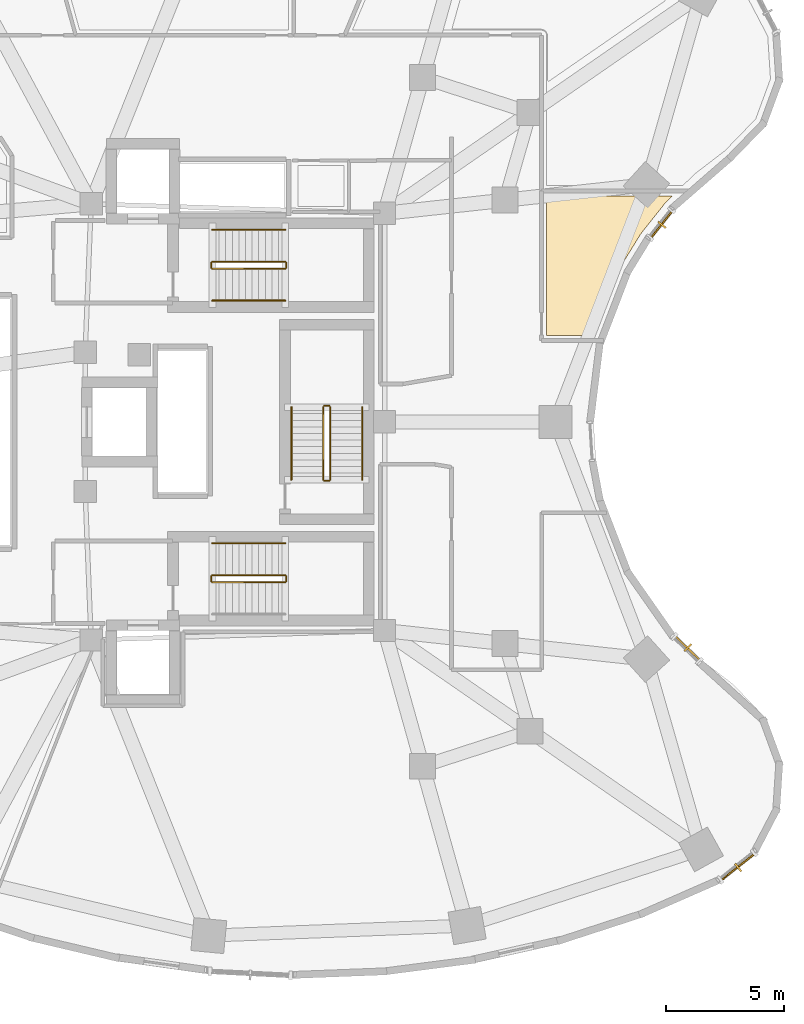
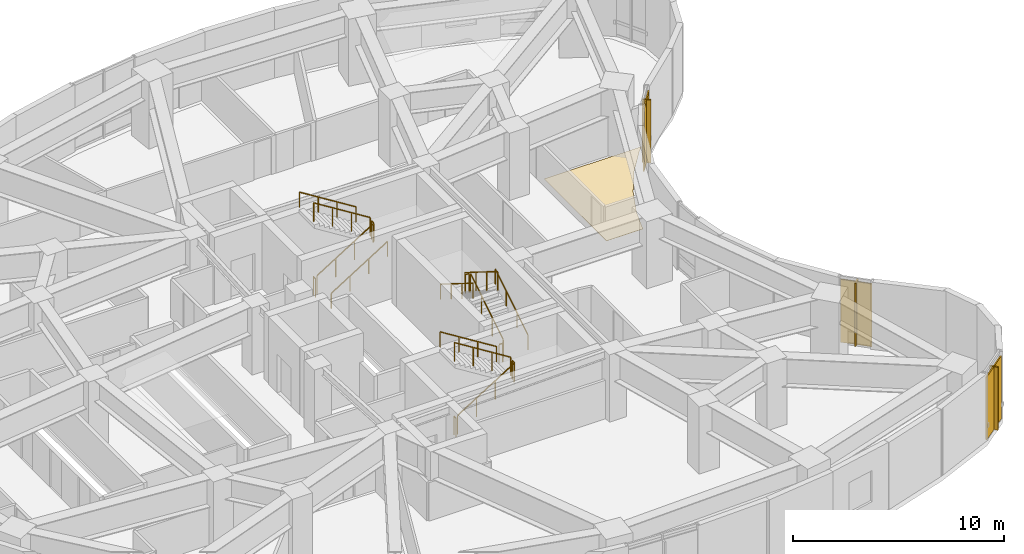
# One storey, part 12 of 13: 17 railings, 6 shading devices, 1 covering.
"""IFC4 building model written with IfcOpenShell, lengths in metres."""

import ifcopenshell
import ifcopenshell.guid

model = None  # the IFC model being written
_history = None  # IfcOwnerHistory: only IFC2X3 demands one
_inside = {}  # id of a spatial element -> (the spatial element, [elements in it])
_under = {}  # id of a project, library or spatial element -> (it, [spatial elements below it])
_declared = {}  # id of a project -> (the project, [libraries it declares])
_typed = {}  # id of a type object -> (the type object, [elements of that type])
_made_of = {}  # id of a material, layer set ... -> (it, [elements and type objects made of it])


def new_model(schema):
    """Start an empty IFC model of exactly this schema.

    Asked for "IFC4X3", IfcOpenShell would pick the latest addendum, in which some entities
    have other attributes; the version numbers below select the first issue.
    IFC2X3 requires an IfcOwnerHistory on every rooted entity: one is made here for all.
    """
    global model, _history
    if schema == "IFC4X3":
        model = ifcopenshell.file(schema_version=(4, 3, 0, 0))
    else:
        model = ifcopenshell.file(schema=schema)
    _inside.clear()
    _under.clear()
    _declared.clear()
    _typed.clear()
    _made_of.clear()
    _history = None
    if model.schema == "IFC2X3":
        org = make("IfcOrganization", Name="unknown")
        user = make(
            "IfcPersonAndOrganization",
            ThePerson=make("IfcPerson", FamilyName="unknown"),
            TheOrganization=org,
        )
        app = make(
            "IfcApplication",
            ApplicationDeveloper=org,
            Version="unknown",
            ApplicationFullName="unknown",
            ApplicationIdentifier="unknown",
        )
        _history = make(
            "IfcOwnerHistory",
            OwningUser=user,
            OwningApplication=app,
            ChangeAction="ADDED",
            CreationDate=0,
        )
    return model


def make(cls, **values):
    """One entity of the class cls with the attributes given. An attribute that is None is left unset."""
    return model.create_entity(
        cls, **{name: value for name, value in values.items() if value is not None}
    )


def rooted(cls, **values):
    """An entity with a GlobalId (a new one), such as an element, a storey or a relation."""
    return make(cls, GlobalId=ifcopenshell.guid.new(), OwnerHistory=_history, **values)


def si_unit(unit_type, name, prefix=None):
    """IfcSIUnit, for example si_unit("LENGTHUNIT", "METRE", prefix="MILLI")."""
    return make("IfcSIUnit", UnitType=unit_type, Prefix=prefix, Name=name)


def assignment(units):
    """IfcUnitAssignment: the units of a project."""
    return None if units is None else make("IfcUnitAssignment", Units=units)


def point(xyz):
    """IfcCartesianPoint."""
    return None if xyz is None else make("IfcCartesianPoint", Coordinates=xyz)


def direction(xyz):
    """IfcDirection."""
    return None if xyz is None else make("IfcDirection", DirectionRatios=xyz)


def frame(location, z_axis=None, x_axis=None):
    """IfcAxis2Placement3D, a coordinate frame: its origin and axes. An axis left out is left unset."""
    return make(
        "IfcAxis2Placement3D",
        Location=point(location),
        Axis=direction(z_axis),
        RefDirection=direction(x_axis),
    )


def frame_2d(location, x_axis=None):
    """IfcAxis2Placement2D, a coordinate frame in the plane: its origin and x axis."""
    return make(
        "IfcAxis2Placement2D", Location=point(location), RefDirection=direction(x_axis)
    )


def origin():
    """The frame at (0, 0, 0) with its axes left unset."""
    return frame((0.0, 0.0, 0.0))


def origin_2d():
    """The frame at (0, 0) in the plane with its x axis left unset."""
    return frame_2d((0.0, 0.0))


def place(relative_to, where):
    """IfcLocalPlacement: puts the frame where relative to a parent placement (None: the world)."""
    return make(
        "IfcLocalPlacement", PlacementRelTo=relative_to, RelativePlacement=where
    )


def context(
    kind, dimensions, precision=None, world=None, true_north=None, identifier=None
):
    """IfcGeometricRepresentationContext, for example the 3D "Model" context."""
    return make(
        "IfcGeometricRepresentationContext",
        ContextIdentifier=identifier,
        ContextType=kind,
        CoordinateSpaceDimension=dimensions,
        Precision=precision,
        WorldCoordinateSystem=world,
        TrueNorth=true_north,
    )


def subcontext(parent, identifier, kind, view, scale=None):
    """IfcGeometricRepresentationSubContext, for example "Body" below "Model"."""
    return make(
        "IfcGeometricRepresentationSubContext",
        ContextIdentifier=identifier,
        ContextType=kind,
        ParentContext=parent,
        TargetScale=scale,
        TargetView=view,
    )


def project(units=None, contexts=None):
    """IfcProject with its units and contexts."""
    return rooted(
        "IfcProject",
        Name="project",
        RepresentationContexts=contexts,
        UnitsInContext=assignment(units),
    )


def spatial(cls, under=None, at=None, **own):
    """A site, building, storey or space (cls), placed at a placement, below another one or the project."""
    s = rooted(cls, ObjectPlacement=at, **own)
    if under is not None:
        _under.setdefault(under.id(), (under, []))[1].append(s)
    return s


def polyline(points):
    """IfcPolyline through the points."""
    return make("IfcPolyline", Points=[point(p) for p in points])


def profile(cls, at=None, kind="AREA", **sizes):
    """A parametric profile (cls). Its sizes go by their IFC names, for example OverallWidth=200.0."""
    return make(cls, ProfileType=kind, Position=at, **sizes)


def rectangle(**sizes):
    """IfcRectangleProfileDef."""
    return profile("IfcRectangleProfileDef", **sizes)


def outline(outer, holes=None, kind="AREA"):
    """IfcArbitraryClosedProfileDef: a profile drawn as a closed curve; with holes, ...WithVoids."""
    if holes is None:
        return make("IfcArbitraryClosedProfileDef", ProfileType=kind, OuterCurve=outer)
    return make(
        "IfcArbitraryProfileDefWithVoids",
        ProfileType=kind,
        OuterCurve=outer,
        InnerCurves=holes,
    )


def extrude(swept, where, along, depth):
    """IfcExtrudedAreaSolid: the profile swept, set in the frame where, extruded along a direction by depth."""
    return make(
        "IfcExtrudedAreaSolid",
        SweptArea=swept,
        Position=where,
        ExtrudedDirection=direction(along),
        Depth=depth,
    )


def shape(context_of_items, identifier, shape_type, items):
    """IfcShapeRepresentation: the items that make up one representation, for example the "Body"."""
    return make(
        "IfcShapeRepresentation",
        ContextOfItems=context_of_items,
        RepresentationIdentifier=identifier,
        RepresentationType=shape_type,
        Items=items,
    )


def material(Name=None, Category=None):
    """IfcMaterial."""
    return make("IfcMaterial", Name=Name, Category=Category)


def layer(
    of_material, thickness, ventilated=None, Name=None, Category=None, Priority=None
):
    """IfcMaterialLayer: one layer of a wall or slab, of a material (None: an air gap)."""
    return make(
        "IfcMaterialLayer",
        Material=of_material,
        LayerThickness=thickness,
        IsVentilated=ventilated,
        Name=Name,
        Category=Category,
        Priority=Priority,
    )


def layer_set(layers, Name=None):
    """IfcMaterialLayerSet."""
    return make("IfcMaterialLayerSet", MaterialLayers=layers, LayerSetName=Name)


def made_of(thing, what):
    """Note that an element or type object is made of a material, layer set ...; save() writes the relation."""
    if what is not None:
        _made_of.setdefault(what.id(), (what, []))[1].append(thing)
    return thing


def type_object(cls, material=None, **own):
    """A type object (cls), such as IfcWallType, which elements share."""
    return made_of(rooted(cls, **own), material)


def element(
    cls,
    number,
    at=None,
    inside=None,
    cuts=None,
    type_object=None,
    material=None,
    context=None,
    identifier="Body",
    shape_type=None,
    held_by="IfcProductDefinitionShape",
    body=None,
    shapes=None,
    **own,
):
    """One element of the class cls, such as IfcWall. Its Tag is "e" and its number.

    at: its placement. inside: the storey or other place that contains it. cuts: it is an
    opening in that element (IfcRelVoidsElement). A single representation is given by context,
    identifier, shape_type and body (its items); several are given by shapes. held_by: the class
    of the entity that holds the representations. save() writes the other relations.
    """
    e = rooted(cls, Tag="e%d" % number, ObjectPlacement=at, **own)
    if body is not None:
        shapes = [shape(context, identifier, shape_type, body)]
    if shapes is not None:
        e.Representation = make(held_by, Representations=shapes)
    if inside is not None:
        _inside.setdefault(inside.id(), (inside, []))[1].append(e)
    if cuts is not None:
        rooted(
            "IfcRelVoidsElement", RelatingBuildingElement=cuts, RelatedOpeningElement=e
        )
    if type_object is not None:
        _typed.setdefault(type_object.id(), (type_object, []))[1].append(e)
    return made_of(e, material)


def aggregate(whole, parts):
    """IfcRelAggregates: a whole, such as a stair, and the parts it consists of."""
    return rooted("IfcRelAggregates", RelatingObject=whole, RelatedObjects=parts)


def save(model, path):
    """Write the relations noted so far, then the file.

    IfcRelAggregates (storeys below a building ...), IfcRelContainedInSpatialStructure (elements
    in a storey), IfcRelDefinesByType, IfcRelAssociatesMaterial and IfcRelDeclares: one each for
    every whole, place, type object, material and project.
    """
    for whole, parts in _under.values():
        aggregate(whole, parts)
    for where, things in _inside.values():
        rooted(
            "IfcRelContainedInSpatialStructure",
            RelatedElements=things,
            RelatingStructure=where,
        )
    for kind, things in _typed.values():
        rooted("IfcRelDefinesByType", RelatedObjects=things, RelatingType=kind)
    for what, things in _made_of.values():
        rooted("IfcRelAssociatesMaterial", RelatedObjects=things, RelatingMaterial=what)
    for by, libraries in _declared.values():
        rooted("IfcRelDeclares", RelatingContext=by, RelatedDefinitions=libraries)
    model.write(path)


model = new_model("IFC4")

# Units and contexts
model_context = context("Model", 3, precision=1e-05, world=origin(), true_north=direction((0.0, 1.0)))
body_context = subcontext(model_context, "Body", "Model", "MODEL_VIEW")
ifc_project = project(units=[si_unit("LENGTHUNIT", "METRE"), si_unit("AREAUNIT", "SQUARE_METRE"), si_unit("VOLUMEUNIT", "CUBIC_METRE"), si_unit("PLANEANGLEUNIT", "RADIAN"), si_unit("MASSUNIT", "GRAM", prefix="KILO")], contexts=[model_context])

# Site, building, storey
site_placement = place(None, origin())
site = spatial("IfcSite", under=ifc_project, at=site_placement, CompositionType="ELEMENT")
building_placement = place(site_placement, origin())
building = spatial("IfcBuilding", under=site, at=building_placement, Name="Korentha Bioscience Tower", CompositionType="ELEMENT")
storey_placement = place(building_placement, frame((0.0, 0.0, 80.39990234375)))
storey = spatial("IfcBuildingStorey", under=building, at=storey_placement, Name="L18", CompositionType="ELEMENT", Elevation=80.39990234375)

# Railings
ifc_material_1 = material(Name="Stainless Steel 304", Category="steel")
railing_type_1 = type_object("IfcRailingType", Name="Brushed Stainless Stair Handrail 900", PredefinedType="HANDRAIL", material=ifc_material_1)
railing_1_placement = place(storey_placement, frame((30.25, 32.14990234375, 0.175048828125)))
element("IfcRailing", 1, at=railing_1_placement, inside=storey, type_object=railing_type_1, Name="L18 ST-1 stair handrail 1", PredefinedType="HANDRAIL", context=body_context, shape_type="SweptSolid", body=[
    extrude(rectangle(XDim=0.048095703125, YDim=0.048095703125, at=origin_2d()), frame((0.0, 0.0, 0.8759765625), z_axis=(0.847998304005, 0.0, 0.529998940003), x_axis=(0.0, 1.0, 0.0)), (0.0, 0.0, 1.0), 3.632080078125),
    extrude(rectangle(XDim=0.0419921875, YDim=0.0419921875, at=origin_2d()), origin(), (0.0, 0.0, 1.0), 0.851806640625),
    extrude(rectangle(XDim=0.0419921875, YDim=0.0419921875, at=origin_2d()), frame((1.026611328125, 0.0, 0.6416015625)), (0.0, 0.0, 1.0), 0.851806640625),
    extrude(rectangle(XDim=0.0419921875, YDim=0.0419921875, at=origin_2d()), frame((2.053466796875, 0.0, 1.283447265625)), (0.0, 0.0, 1.0), 0.851806640625),
    extrude(rectangle(XDim=0.0419921875, YDim=0.0419921875, at=origin_2d()), frame((3.080078125, 0.0, 1.925048828125)), (0.0, 0.0, 1.0), 0.851806640625),
])
for number, where, name in (
    (2, (33.330078125, 35.14990234375, 2.275146484375), "L18 ST-1 stair handrail 2"),
    (3, (33.330078125, 21.85009765625, 2.275146484375), "L18 ST-2 stair handrail 2"),
):
    element("IfcRailing", number, at=place(storey_placement, frame(where)), inside=storey, type_object=railing_type_1, Name=name, PredefinedType="HANDRAIL", context=body_context, shape_type="SweptSolid", body=[
        extrude(rectangle(XDim=0.048095703125, YDim=0.048095703125, at=origin_2d()), frame((0.0, 0.0, 0.8759765625), z_axis=(-0.847998304005, 0.0, 0.529998940003), x_axis=(0.0, -1.0, 0.0)), (0.0, 0.0, 1.0), 3.632080078125),
        extrude(rectangle(XDim=0.0419921875, YDim=0.0419921875, at=origin_2d()), origin(), (0.0, 0.0, 1.0), 0.851806640625),
        extrude(rectangle(XDim=0.0419921875, YDim=0.0419921875, at=origin_2d()), frame((-1.026611328125, 0.0, 0.6416015625)), (0.0, 0.0, 1.0), 0.851806640625),
        extrude(rectangle(XDim=0.0419921875, YDim=0.0419921875, at=origin_2d()), frame((-2.053466796875, 0.0, 1.283447265625)), (0.0, 0.0, 1.0), 0.851806640625),
        extrude(rectangle(XDim=0.0419921875, YDim=0.0419921875, at=origin_2d()), frame((-3.080078125, 0.0, 1.925048828125)), (0.0, 0.0, 1.0), 0.851806640625),
    ])
railing_2_placement = place(storey_placement, frame((36.60009765625, 24.550048828125, 0.175048828125)))
element("IfcRailing", 4, at=railing_2_placement, inside=storey, type_object=railing_type_1, Name="L18 ST-3 stair handrail 1", PredefinedType="HANDRAIL", context=body_context, shape_type="SweptSolid", body=[
    extrude(rectangle(XDim=0.048095703125, YDim=0.048095703125, at=origin_2d()), frame((0.0, 0.0, 0.8759765625), z_axis=(0.0, 0.847979421464, 0.530029150871), x_axis=(-1.0, 0.0, 0.0)), (0.0, 0.0, 1.0), 3.632080078125),
    extrude(rectangle(XDim=0.0419921875, YDim=0.0419921875, at=origin_2d()), origin(), (0.0, 0.0, 1.0), 0.851806640625),
    extrude(rectangle(XDim=0.0419921875, YDim=0.0419921875, at=origin_2d()), frame((0.0, 1.026611328125, 0.6416015625)), (0.0, 0.0, 1.0), 0.851806640625),
    extrude(rectangle(XDim=0.0419921875, YDim=0.0419921875, at=origin_2d()), frame((0.0, 2.05322265625, 1.283447265625)), (0.0, 0.0, 1.0), 0.851806640625),
    extrude(rectangle(XDim=0.0419921875, YDim=0.0419921875, at=origin_2d()), frame((0.0, 3.079833984375, 1.925048828125)), (0.0, 0.0, 1.0), 0.851806640625),
])
railing_3_placement = place(storey_placement, frame((33.60009765625, 27.6298828125, 2.275146484375)))
element("IfcRailing", 5, at=railing_3_placement, inside=storey, type_object=railing_type_1, Name="L18 ST-3 stair handrail 2", PredefinedType="HANDRAIL", context=body_context, shape_type="SweptSolid", body=[
    extrude(rectangle(XDim=0.048095703125, YDim=0.048095703125, at=origin_2d()), frame((0.0, 0.0, 0.8759765625), z_axis=(0.0, -0.847979421464, 0.530029150871), x_axis=(1.0, 0.0, 0.0)), (0.0, 0.0, 1.0), 3.632080078125),
    extrude(rectangle(XDim=0.0419921875, YDim=0.0419921875, at=origin_2d()), origin(), (0.0, 0.0, 1.0), 0.851806640625),
    extrude(rectangle(XDim=0.0419921875, YDim=0.0419921875, at=origin_2d()), frame((0.0, -1.026611328125, 0.6416015625)), (0.0, 0.0, 1.0), 0.851806640625),
    extrude(rectangle(XDim=0.0419921875, YDim=0.0419921875, at=origin_2d()), frame((0.0, -2.05322265625, 1.283447265625)), (0.0, 0.0, 1.0), 0.851806640625),
    extrude(rectangle(XDim=0.0419921875, YDim=0.0419921875, at=origin_2d()), frame((0.0, -3.079833984375, 1.925048828125)), (0.0, 0.0, 1.0), 0.851806640625),
])
ifc_material_2 = material(Name="Painted Steel S275", Category="steel")
railing_type_2 = type_object("IfcRailingType", Name="Painted Steel Stair Well Guardrail 1100", PredefinedType="GUARDRAIL", material=ifc_material_2)
railing_4_placement = place(storey_placement, frame((30.25, 33.5, 0.175048828125)))
element("IfcRailing", 6, at=railing_4_placement, inside=storey, type_object=railing_type_2, Name="L18 ST-1 stair guard 1", PredefinedType="GUARDRAIL", context=body_context, shape_type="SweptSolid", body=[
    extrude(rectangle(XDim=0.048095703125, YDim=0.048095703125, at=origin_2d()), frame((0.0, 0.0, 1.076171875), z_axis=(0.847998304005, 0.0, 0.529998940003), x_axis=(0.0, 1.0, 0.0)), (0.0, 0.0, 1.0), 3.632080078125),
    extrude(rectangle(XDim=0.0419921875, YDim=0.0419921875, at=origin_2d()), origin(), (0.0, 0.0, 1.0), 1.052001953125),
    extrude(rectangle(XDim=0.0419921875, YDim=0.0419921875, at=origin_2d()), frame((1.026611328125, 0.0, 0.6416015625)), (0.0, 0.0, 1.0), 1.052001953125),
    extrude(rectangle(XDim=0.0419921875, YDim=0.0419921875, at=origin_2d()), frame((2.053466796875, 0.0, 1.283447265625)), (0.0, 0.0, 1.0), 1.052001953125),
    extrude(rectangle(XDim=0.0419921875, YDim=0.0419921875, at=origin_2d()), frame((3.080078125, 0.0, 1.925048828125)), (0.0, 0.0, 1.0), 1.052001953125),
])
railing_5_placement = place(storey_placement, frame((33.3798828125, 33.550048828125, 2.10009765625)))
element("IfcRailing", 7, at=railing_5_placement, inside=storey, type_object=railing_type_2, Name="L18 ST-1 stair guard 2", PredefinedType="GUARDRAIL", context=body_context, shape_type="SweptSolid", body=[
    extrude(rectangle(XDim=0.048095703125, YDim=0.048095703125, at=origin_2d()), frame((0.0, 0.0, 1.076171875), z_axis=(0.0, 1.0, 0.0), x_axis=(-1.0, 0.0, 0.0)), (0.0, 0.0, 1.0), 0.199951171875),
    extrude(rectangle(XDim=0.0419921875, YDim=0.0419921875, at=origin_2d()), origin(), (0.0, 0.0, 1.0), 1.052001953125),
    extrude(rectangle(XDim=0.0419921875, YDim=0.0419921875, at=origin_2d()), frame((0.0, 0.199951171875, 0.0)), (0.0, 0.0, 1.0), 1.052001953125),
])
railing_6_placement = place(storey_placement, frame((33.330078125, 33.800048828125, 2.275146484375)))
element("IfcRailing", 8, at=railing_6_placement, inside=storey, type_object=railing_type_2, Name="L18 ST-1 stair guard 3", PredefinedType="GUARDRAIL", context=body_context, shape_type="SweptSolid", body=[
    extrude(rectangle(XDim=0.048095703125, YDim=0.048095703125, at=origin_2d()), frame((0.0, 0.0, 1.076171875), z_axis=(-0.847998304005, 0.0, 0.529998940003), x_axis=(0.0, -1.0, 0.0)), (0.0, 0.0, 1.0), 3.632080078125),
    extrude(rectangle(XDim=0.0419921875, YDim=0.0419921875, at=origin_2d()), origin(), (0.0, 0.0, 1.0), 1.052001953125),
    extrude(rectangle(XDim=0.0419921875, YDim=0.0419921875, at=origin_2d()), frame((-1.026611328125, 0.0, 0.6416015625)), (0.0, 0.0, 1.0), 1.052001953125),
    extrude(rectangle(XDim=0.0419921875, YDim=0.0419921875, at=origin_2d()), frame((-2.053466796875, 0.0, 1.283447265625)), (0.0, 0.0, 1.0), 1.052001953125),
    extrude(rectangle(XDim=0.0419921875, YDim=0.0419921875, at=origin_2d()), frame((-3.080078125, 0.0, 1.925048828125)), (0.0, 0.0, 1.0), 1.052001953125),
])
railing_7_placement = place(storey_placement, frame((30.199951171875, 33.550048828125, 0.0)))
element("IfcRailing", 9, at=railing_7_placement, inside=storey, type_object=railing_type_2, Name="L18 ST-1 stair guard 4", PredefinedType="GUARDRAIL", context=body_context, shape_type="SweptSolid", body=[
    extrude(rectangle(XDim=0.048095703125, YDim=0.048095703125, at=origin_2d()), frame((0.0, 0.0, 1.076171875), z_axis=(0.0, 1.0, 0.0), x_axis=(-1.0, 0.0, 0.0)), (0.0, 0.0, 1.0), 0.199951171875),
    extrude(rectangle(XDim=0.0419921875, YDim=0.0419921875, at=origin_2d()), origin(), (0.0, 0.0, 1.0), 1.052001953125),
    extrude(rectangle(XDim=0.0419921875, YDim=0.0419921875, at=origin_2d()), frame((0.0, 0.199951171875, 0.0)), (0.0, 0.0, 1.0), 1.052001953125),
])
railing_8_placement = place(storey_placement, frame((30.25, 20.199951171875, 0.175048828125)))
element("IfcRailing", 10, at=railing_8_placement, inside=storey, type_object=railing_type_2, Name="L18 ST-2 stair guard 1", PredefinedType="GUARDRAIL", context=body_context, shape_type="SweptSolid", body=[
    extrude(rectangle(XDim=0.048095703125, YDim=0.048095703125, at=origin_2d()), frame((0.0, 0.0, 1.076171875), z_axis=(0.847998304005, 0.0, 0.529998940003), x_axis=(0.0, 1.0, 0.0)), (0.0, 0.0, 1.0), 3.632080078125),
    extrude(rectangle(XDim=0.0419921875, YDim=0.0419921875, at=origin_2d()), origin(), (0.0, 0.0, 1.0), 1.052001953125),
    extrude(rectangle(XDim=0.0419921875, YDim=0.0419921875, at=origin_2d()), frame((1.026611328125, 0.0, 0.6416015625)), (0.0, 0.0, 1.0), 1.052001953125),
    extrude(rectangle(XDim=0.0419921875, YDim=0.0419921875, at=origin_2d()), frame((2.053466796875, 0.0, 1.283447265625)), (0.0, 0.0, 1.0), 1.052001953125),
    extrude(rectangle(XDim=0.0419921875, YDim=0.0419921875, at=origin_2d()), frame((3.080078125, 0.0, 1.925048828125)), (0.0, 0.0, 1.0), 1.052001953125),
])
railing_9_placement = place(storey_placement, frame((33.3798828125, 20.25, 2.10009765625)))
element("IfcRailing", 11, at=railing_9_placement, inside=storey, type_object=railing_type_2, Name="L18 ST-2 stair guard 2", PredefinedType="GUARDRAIL", context=body_context, shape_type="SweptSolid", body=[
    extrude(rectangle(XDim=0.048095703125, YDim=0.048095703125, at=origin_2d()), frame((0.0, 0.0, 1.076171875), z_axis=(0.0, 1.0, 0.0), x_axis=(-1.0, 0.0, 0.0)), (0.0, 0.0, 1.0), 0.199951171875),
    extrude(rectangle(XDim=0.0419921875, YDim=0.0419921875, at=origin_2d()), origin(), (0.0, 0.0, 1.0), 1.052001953125),
    extrude(rectangle(XDim=0.0419921875, YDim=0.0419921875, at=origin_2d()), frame((0.0, 0.199951171875, 0.0)), (0.0, 0.0, 1.0), 1.052001953125),
])
railing_10_placement = place(storey_placement, frame((33.330078125, 20.5, 2.275146484375)))
element("IfcRailing", 12, at=railing_10_placement, inside=storey, type_object=railing_type_2, Name="L18 ST-2 stair guard 3", PredefinedType="GUARDRAIL", context=body_context, shape_type="SweptSolid", body=[
    extrude(rectangle(XDim=0.048095703125, YDim=0.048095703125, at=origin_2d()), frame((0.0, 0.0, 1.076171875), z_axis=(-0.847998304005, 0.0, 0.529998940003), x_axis=(0.0, -1.0, 0.0)), (0.0, 0.0, 1.0), 3.632080078125),
    extrude(rectangle(XDim=0.0419921875, YDim=0.0419921875, at=origin_2d()), origin(), (0.0, 0.0, 1.0), 1.052001953125),
    extrude(rectangle(XDim=0.0419921875, YDim=0.0419921875, at=origin_2d()), frame((-1.026611328125, 0.0, 0.6416015625)), (0.0, 0.0, 1.0), 1.052001953125),
    extrude(rectangle(XDim=0.0419921875, YDim=0.0419921875, at=origin_2d()), frame((-2.053466796875, 0.0, 1.283447265625)), (0.0, 0.0, 1.0), 1.052001953125),
    extrude(rectangle(XDim=0.0419921875, YDim=0.0419921875, at=origin_2d()), frame((-3.080078125, 0.0, 1.925048828125)), (0.0, 0.0, 1.0), 1.052001953125),
])
railing_11_placement = place(storey_placement, frame((30.199951171875, 20.25, 0.0)))
element("IfcRailing", 13, at=railing_11_placement, inside=storey, type_object=railing_type_2, Name="L18 ST-2 stair guard 4", PredefinedType="GUARDRAIL", context=body_context, shape_type="SweptSolid", body=[
    extrude(rectangle(XDim=0.048095703125, YDim=0.048095703125, at=origin_2d()), frame((0.0, 0.0, 1.076171875), z_axis=(0.0, 1.0, 0.0), x_axis=(-1.0, 0.0, 0.0)), (0.0, 0.0, 1.0), 0.199951171875),
    extrude(rectangle(XDim=0.0419921875, YDim=0.0419921875, at=origin_2d()), origin(), (0.0, 0.0, 1.0), 1.052001953125),
    extrude(rectangle(XDim=0.0419921875, YDim=0.0419921875, at=origin_2d()), frame((0.0, 0.199951171875, 0.0)), (0.0, 0.0, 1.0), 1.052001953125),
])
railing_12_placement = place(storey_placement, frame((35.25, 24.550048828125, 0.175048828125)))
element("IfcRailing", 14, at=railing_12_placement, inside=storey, type_object=railing_type_2, Name="L18 ST-3 stair guard 1", PredefinedType="GUARDRAIL", context=body_context, shape_type="SweptSolid", body=[
    extrude(rectangle(XDim=0.048095703125, YDim=0.048095703125, at=origin_2d()), frame((0.0, 0.0, 1.076171875), z_axis=(0.0, 0.847979421464, 0.530029150871), x_axis=(-1.0, 0.0, 0.0)), (0.0, 0.0, 1.0), 3.632080078125),
    extrude(rectangle(XDim=0.0419921875, YDim=0.0419921875, at=origin_2d()), origin(), (0.0, 0.0, 1.0), 1.052001953125),
    extrude(rectangle(XDim=0.0419921875, YDim=0.0419921875, at=origin_2d()), frame((0.0, 1.026611328125, 0.6416015625)), (0.0, 0.0, 1.0), 1.052001953125),
    extrude(rectangle(XDim=0.0419921875, YDim=0.0419921875, at=origin_2d()), frame((0.0, 2.05322265625, 1.283447265625)), (0.0, 0.0, 1.0), 1.052001953125),
    extrude(rectangle(XDim=0.0419921875, YDim=0.0419921875, at=origin_2d()), frame((0.0, 3.079833984375, 1.925048828125)), (0.0, 0.0, 1.0), 1.052001953125),
])
railing_13_placement = place(storey_placement, frame((35.199951171875, 27.679931640625, 2.10009765625)))
element("IfcRailing", 15, at=railing_13_placement, inside=storey, type_object=railing_type_2, Name="L18 ST-3 stair guard 2", PredefinedType="GUARDRAIL", context=body_context, shape_type="SweptSolid", body=[
    extrude(rectangle(XDim=0.048095703125, YDim=0.048095703125, at=origin_2d()), frame((0.0, 0.0, 1.076171875), z_axis=(-1.0, 0.0, 0.0), x_axis=(0.0, -1.0, 0.0)), (0.0, 0.0, 1.0), 0.199951171875),
    extrude(rectangle(XDim=0.0419921875, YDim=0.0419921875, at=origin_2d()), origin(), (0.0, 0.0, 1.0), 1.052001953125),
    extrude(rectangle(XDim=0.0419921875, YDim=0.0419921875, at=origin_2d()), frame((-0.199951171875, 0.0, 0.0)), (0.0, 0.0, 1.0), 1.052001953125),
])
railing_14_placement = place(storey_placement, frame((34.949951171875, 27.6298828125, 2.275146484375)))
element("IfcRailing", 16, at=railing_14_placement, inside=storey, type_object=railing_type_2, Name="L18 ST-3 stair guard 3", PredefinedType="GUARDRAIL", context=body_context, shape_type="SweptSolid", body=[
    extrude(rectangle(XDim=0.048095703125, YDim=0.048095703125, at=origin_2d()), frame((0.0, 0.0, 1.076171875), z_axis=(0.0, -0.847979421464, 0.530029150871), x_axis=(1.0, 0.0, 0.0)), (0.0, 0.0, 1.0), 3.632080078125),
    extrude(rectangle(XDim=0.0419921875, YDim=0.0419921875, at=origin_2d()), origin(), (0.0, 0.0, 1.0), 1.052001953125),
    extrude(rectangle(XDim=0.0419921875, YDim=0.0419921875, at=origin_2d()), frame((0.0, -1.026611328125, 0.6416015625)), (0.0, 0.0, 1.0), 1.052001953125),
    extrude(rectangle(XDim=0.0419921875, YDim=0.0419921875, at=origin_2d()), frame((0.0, -2.05322265625, 1.283447265625)), (0.0, 0.0, 1.0), 1.052001953125),
    extrude(rectangle(XDim=0.0419921875, YDim=0.0419921875, at=origin_2d()), frame((0.0, -3.079833984375, 1.925048828125)), (0.0, 0.0, 1.0), 1.052001953125),
])
railing_15_placement = place(storey_placement, frame((35.199951171875, 24.5, 0.0)))
element("IfcRailing", 17, at=railing_15_placement, inside=storey, type_object=railing_type_2, Name="L18 ST-3 stair guard 4", PredefinedType="GUARDRAIL", context=body_context, shape_type="SweptSolid", body=[
    extrude(rectangle(XDim=0.048095703125, YDim=0.048095703125, at=origin_2d()), frame((0.0, 0.0, 1.076171875), z_axis=(-1.0, 0.0, 0.0), x_axis=(0.0, -1.0, 0.0)), (0.0, 0.0, 1.0), 0.199951171875),
    extrude(rectangle(XDim=0.0419921875, YDim=0.0419921875, at=origin_2d()), origin(), (0.0, 0.0, 1.0), 1.052001953125),
    extrude(rectangle(XDim=0.0419921875, YDim=0.0419921875, at=origin_2d()), frame((-0.199951171875, 0.0, 0.0)), (0.0, 0.0, 1.0), 1.052001953125),
])

# Shading devices
ifc_material_3 = material(Name="Perforated Stone-Ceramic Composite", Category="masonry")
ifc_layer_1 = layer(ifc_material_3, 0.06494140625, Name="Perforated Stone-Ceramic Composite")
ifc_layer_set_1 = layer_set([ifc_layer_1], Name="Perforated Stone-Ceramic Composite (CS-01)")
shading_device_type_1 = type_object("IfcShadingDeviceType", Name="Perforated Stone-Ceramic Solar Screen Panel 65", PredefinedType="USERDEFINED", material=ifc_layer_set_1)
shading_device_placement = place(storey_placement, frame((52.5380859375, 8.11328125, 0.000244140625), z_axis=(0.0, 0.0, 1.0), x_axis=(0.782287851332, 0.62291710336, 0.0)))
element("IfcShadingDevice", 18, at=shading_device_placement, inside=storey, type_object=shading_device_type_1, Name="CW-L18-37 Perforated Stone-Ceramic Solar Screen", ObjectType="SCREEN", PredefinedType="USERDEFINED", context=body_context, shape_type="SweptSolid", body=[
    extrude(rectangle(XDim=1.927734375, YDim=0.06494140625, at=origin_2d()), origin(), (0.0, 0.0, 1.0), 3.6298828125),
])
for number, where, z_axis, x_axis, name in (
    (19, (50.4033203125, 17.406982421875, 0.000244140625), (0.0, 0.0, 1.0), (-0.713279246754, 0.700879958445, 0.0), "CW-L18-43 Perforated Stone-Ceramic Solar Screen"),
    (20, (49.3046875, 35.37255859375, 0.000244140625), (0.0, 0.0, 1.0), (0.622520324648, 0.782603632371, 0.0), "CW-L18-55 Perforated Stone-Ceramic Solar Screen"),
):
    element("IfcShadingDevice", number, at=place(storey_placement, frame(where, z_axis=z_axis, x_axis=x_axis)), inside=storey, type_object=shading_device_type_1, Name=name, ObjectType="SCREEN", PredefinedType="USERDEFINED", context=body_context, shape_type="SweptSolid", body=[
        extrude(rectangle(XDim=1.537841796875, YDim=0.06494140625, at=origin_2d()), origin(), (0.0, 0.0, 1.0), 3.6298828125),
    ])

# Covering
ifc_material_4 = material(Name="Chemical-Resistant Epoxy Resin", Category="polymer")
ifc_layer_2 = layer(ifc_material_4, 0.011962890625, Name="Chemical-Resistant Epoxy Resin")
ifc_layer_set_2 = layer_set([ifc_layer_2], Name="Chemical-Resistant Epoxy Resin (FL-EPX)")
covering_type = type_object("IfcCoveringType", Name="Seamless Epoxy Laboratory Flooring 12", PredefinedType="FLOORING", material=ifc_layer_set_2)
covering_placement = place(storey_placement, origin())
element("IfcCovering", 21, at=covering_placement, inside=storey, type_object=covering_type, Name="L18 Biospecimen Archive Store 04 Floor Finish", PredefinedType="FLOORING", context=body_context, shape_type="SweptSolid", body=[
    extrude(outline(polyline([(49.462158203125, 36.293701171875), (48.414306640625, 34.97216796875), (47.54443359375, 33.552490234375), (46.83740234375, 32.006591796875), (46.4140625, 30.672119140625), (44.429931640625, 30.672119140625), (44.429931640625, 36.577880859375), (49.74609375, 36.577880859375), (49.462158203125, 36.293701171875)])), origin(), (0.0, 0.0, 1.0), 0.01220703125),
])

# Shading devices
ifc_material_5 = material(Name="Honed Travertine Limestone", Category="masonry")
ifc_layer_3 = layer(ifc_material_5, 0.080078125, Name="Honed Travertine Limestone")
ifc_layer_set_3 = layer_set([ifc_layer_3], Name="Honed Travertine Limestone (CS-02)")
shading_device_type_2 = type_object("IfcShadingDeviceType", Name="Vertical Honed Limestone Sunshade Fin 80x420", PredefinedType="USERDEFINED", material=ifc_layer_set_3)
for number, where, z_axis, x_axis, name in (
    (22, (52.550537109375, 8.09765625, 0.000244140625), (0.0, 0.0, 1.0), (0.782287851332, 0.62291710336, 0.0), "CW-L18-37 Limestone Sunshade Fin"),
    (23, (50.41748046875, 17.42138671875, 0.000244140625), (0.0, 0.0, 1.0), (-0.713279246754, 0.700879958445, 0.0), "CW-L18-43 Limestone Sunshade Fin"),
    (24, (49.3203125, 35.360107421875, 0.000244140625), (0.0, 0.0, 1.0), (0.622520324648, 0.782603632371, 0.0), "CW-L18-55 Limestone Sunshade Fin"),
):
    element("IfcShadingDevice", number, at=place(storey_placement, frame(where, z_axis=z_axis, x_axis=x_axis)), inside=storey, type_object=shading_device_type_2, Name=name, ObjectType="SCREEN", PredefinedType="USERDEFINED", context=body_context, shape_type="SweptSolid", body=[
        extrude(rectangle(XDim=0.080078125, YDim=0.419921875, at=origin_2d()), origin(), (0.0, 0.0, 1.0), 3.6298828125),
    ])

save(model, "model.ifc")
